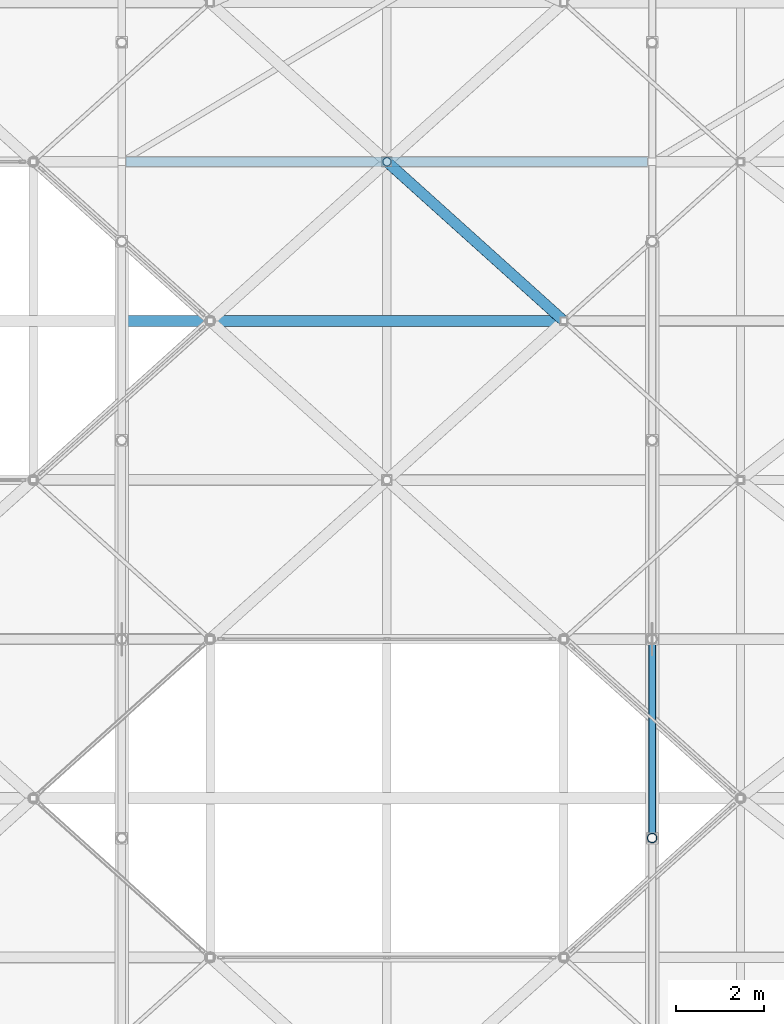
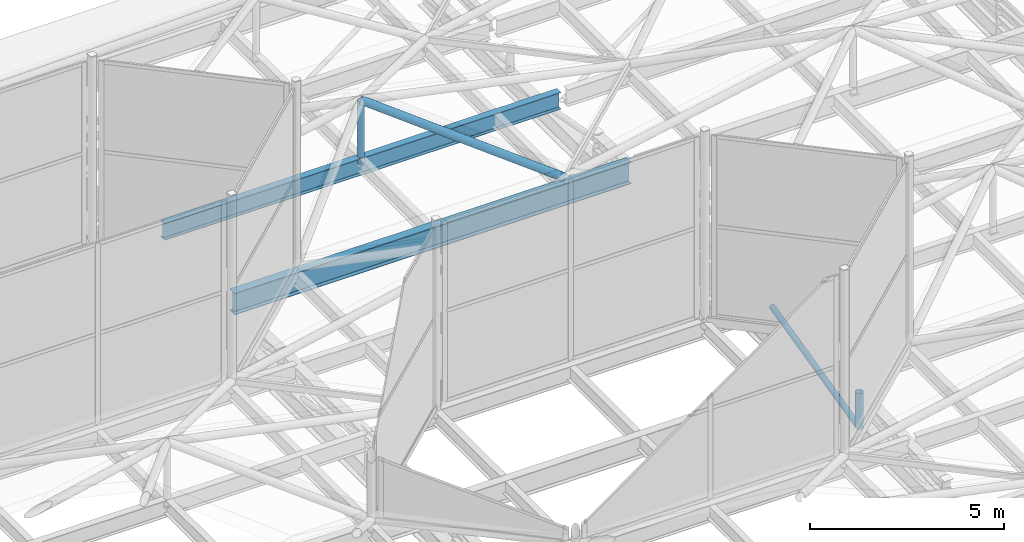
# One storey, part 128 of 239: 4 members, 2 beams.
"""IFC4 building model written with IfcOpenShell, lengths in metres."""

from ifc_helpers import new_model, si_unit, direction, frame, origin, origin_2d, place, context, subcontext, project, spatial, hollow_circle, i_section, extrude, material, material_profile, profile_set, type_object, element, save


model = new_model("IFC4")

# Units and contexts
model_context = context("Model", 3, precision=1e-05, world=origin(), true_north=direction((0.0, 1.0)))
body_context = subcontext(model_context, "Body", "Model", "MODEL_VIEW")
ifc_project = project(units=[si_unit("LENGTHUNIT", "METRE"), si_unit("AREAUNIT", "SQUARE_METRE"), si_unit("VOLUMEUNIT", "CUBIC_METRE"), si_unit("PLANEANGLEUNIT", "RADIAN"), si_unit("MASSUNIT", "GRAM", prefix="KILO")], contexts=[model_context])

# Site, building, storey
site_placement = place(None, origin())
site = spatial("IfcSite", under=ifc_project, at=site_placement, CompositionType="ELEMENT")
building_placement = place(site_placement, origin())
building = spatial("IfcBuilding", under=site, at=building_placement, Name="Dunvalen Ferry Terminal", CompositionType="ELEMENT")
storey_placement = place(building_placement, frame((0.0, 0.0, 9.840087890625)))
storey = spatial("IfcBuildingStorey", under=building, at=storey_placement, Name="L02", CompositionType="ELEMENT", Elevation=9.840087890625)

# Beams
ifc_material = material(Name="Steel S355", Category="steel")
ifc_material_profile_1 = material_profile(ifc_material, i_section(OverallWidth=0.209228515625, OverallDepth=0.533203125, WebThickness=0.010009765625, FlangeThickness=0.015625, FilletRadius=0.0126953125, at=origin_2d()), Name="Steel S355")
ifc_profile_set_1 = profile_set([ifc_material_profile_1], Name="Steel S355")
beam_type_1 = type_object("IfcBeamType", Name="STR-BM-UKB533", PredefinedType="BEAM", material=ifc_profile_set_1)
beam_1_placement = place(storey_placement, frame((72.10009765625, 79.199951171875, 0.7333984375), z_axis=(1.0, 0.0, 0.0), x_axis=(0.0, 1.0, 0.0)))
element("IfcBeam", 1, at=beam_1_placement, inside=storey, type_object=beam_type_1, Name="Departure Hall Spine Girder B6.09", PredefinedType="BEAM", context=body_context, shape_type="SweptSolid", body=[
    extrude(i_section(OverallWidth=0.209228515625, OverallDepth=0.533203125, WebThickness=0.010009765625, FlangeThickness=0.015625, FilletRadius=0.0126953125, at=origin_2d()), origin(), (0.0, 0.0, 1.0), 11.7998046875),
])
ifc_material_profile_2 = material_profile(ifc_material, i_section(OverallWidth=0.253662109375, OverallDepth=0.68359375, WebThickness=0.012451171875, FlangeThickness=0.01904296875, FilletRadius=0.01513671875, at=origin_2d()), Name="Steel S355")
ifc_profile_set_2 = profile_set([ifc_material_profile_2], Name="Steel S355")
beam_type_2 = type_object("IfcBeamType", Name="STR-BM-UKB686", PredefinedType="BEAM", material=ifc_profile_set_2)
beam_2_placement = place(storey_placement, frame((72.10009765625, 75.60009765625, 0.658203125), z_axis=(1.0, 0.0, 0.0), x_axis=(0.0, 1.0, 0.0)))
element("IfcBeam", 2, at=beam_2_placement, inside=storey, type_object=beam_type_2, Name="Departure Hall Spine Girder B6.08", PredefinedType="BEAM", context=body_context, shape_type="SweptSolid", body=[
    extrude(i_section(OverallWidth=0.253662109375, OverallDepth=0.68359375, WebThickness=0.012451171875, FlangeThickness=0.01904296875, FilletRadius=0.01513671875, at=origin_2d()), origin(), (0.0, 0.0, 1.0), 11.7998046875),
])

# Members
ifc_material_profile_3 = material_profile(ifc_material, hollow_circle(Radius=0.084228515625, WallThickness=0.008056640625, at=origin_2d()), Name="Steel S355")
ifc_profile_set_3 = profile_set([ifc_material_profile_3], Name="Steel S355")
member_type_1 = type_object("IfcMemberType", Name="STR-MB-CHS168", PredefinedType="BRACE", material=ifc_profile_set_3)
member_1_placement = place(storey_placement, frame((84.0, 63.89990234375, -0.360107421875), z_axis=(0.0, 0.972383470914, 0.233388914677), x_axis=(-1.0, 0.0, 0.0)))
element("IfcMember", 3, at=member_1_placement, inside=storey, type_object=member_type_1, Name="Departure Hall Arch Web Diagonal 07.4", PredefinedType="BRACE", context=body_context, shape_type="SweptSolid", body=[
    extrude(hollow_circle(Radius=0.084228515625, WallThickness=0.008056640625, at=origin_2d()), origin(), (0.0, 0.0, 1.0), 4.627685546875),
])
ifc_material_profile_4 = material_profile(ifc_material, hollow_circle(Radius=0.096923828125, WallThickness=0.008056640625, at=origin_2d()), Name="Steel S355")
ifc_profile_set_4 = profile_set([ifc_material_profile_4], Name="Steel S355")
member_type_2 = type_object("IfcMemberType", Name="STR-MB-CHS193", PredefinedType="STRUT", material=ifc_profile_set_4)
member_2_placement = place(storey_placement, frame((78.0, 79.199951171875, 0.77001953125), z_axis=(0.0, 0.0, 1.0), x_axis=(1.0, 0.0, 0.0)))
element("IfcMember", 4, at=member_2_placement, inside=storey, type_object=member_type_2, Name="HEX-38 Pyramid Apex Strut", PredefinedType="STRUT", context=body_context, shape_type="SweptSolid", body=[
    extrude(hollow_circle(Radius=0.096923828125, WallThickness=0.008056640625, at=origin_2d()), origin(), (0.0, 0.0, 1.0), 1.994873046875),
])
ifc_material_profile_5 = material_profile(ifc_material, hollow_circle(Radius=0.109619140625, WallThickness=0.010009765625, at=origin_2d()), Name="Steel S355")
ifc_profile_set_5 = profile_set([ifc_material_profile_5], Name="Steel S355")
member_type_3 = type_object("IfcMemberType", Name="STR-MB-CHS219", PredefinedType="STRUT", material=ifc_profile_set_5)
member_3_placement = place(storey_placement, frame((84.0, 63.89990234375, -0.360107421875), z_axis=(0.0, 0.0, 1.0), x_axis=(1.0, 0.0, 0.0)))
element("IfcMember", 5, at=member_3_placement, inside=storey, type_object=member_type_3, Name="Departure Hall Arch Spandrel Strut 07.3", PredefinedType="STRUT", context=body_context, shape_type="SweptSolid", body=[
    extrude(hollow_circle(Radius=0.109619140625, WallThickness=0.010009765625, at=origin_2d()), origin(), (0.0, 0.0, 1.0), 1.130126953125),
])
ifc_material_profile_6 = material_profile(ifc_material, hollow_circle(Radius=0.122314453125, WallThickness=0.010009765625, at=origin_2d()), Name="Steel S355")
ifc_profile_set_6 = profile_set([ifc_material_profile_6], Name="Steel S355")
member_type_4 = type_object("IfcMemberType", Name="STR-MB-CHS244", PredefinedType="STRUT", material=ifc_profile_set_6)
member_4_placement = place(storey_placement, frame((82.0, 75.60009765625, 1.099853515625), z_axis=(-0.710094348105, 0.639058908863, 0.295583706914), x_axis=(-0.668949692402, -0.74330768127, 0.0)))
element("IfcMember", 6, at=member_4_placement, inside=storey, type_object=member_type_4, Name="HEX-38 Pyramid Hip Rafter 3", PredefinedType="STRUT", context=body_context, shape_type="SweptSolid", body=[
    extrude(hollow_circle(Radius=0.122314453125, WallThickness=0.010009765625, at=origin_2d()), origin(), (0.0, 0.0, 1.0), 5.633056640625),
])

save(model, "model.ifc")
